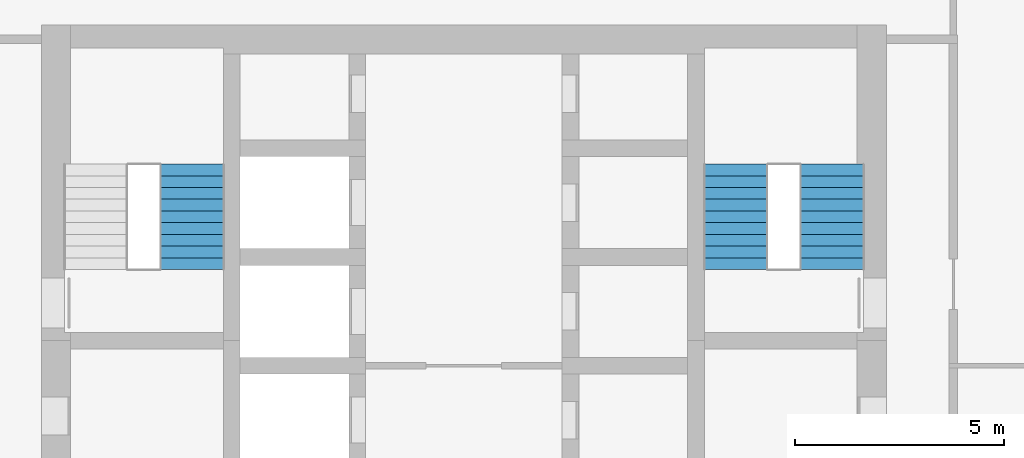
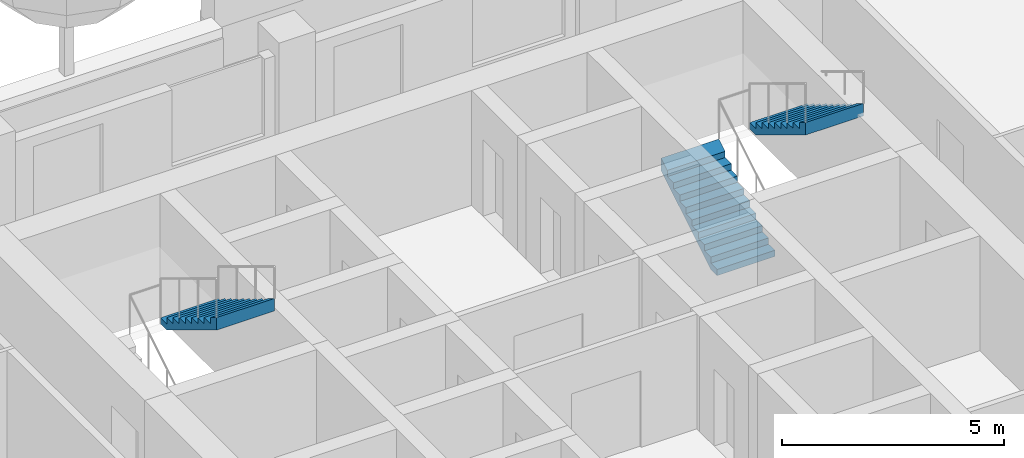
# One storey, part 16 of 21: 3 stair flights, 2 elements without a shape of their own.
"""IFC4 building model written with IfcOpenShell, lengths in metres."""

from ifc_helpers import new_model, si_unit, direction, frame, origin, place, context, subcontext, project, spatial, triangles, material, type_object, element, aggregate, save


model = new_model("IFC4")

# Units and contexts
model_context = context("Model", 3, precision=1e-05, world=origin(), true_north=direction((0.0, 1.0)))
body_context = subcontext(model_context, "Body", "Model", "MODEL_VIEW")
ifc_project = project(units=[si_unit("LENGTHUNIT", "METRE"), si_unit("AREAUNIT", "SQUARE_METRE"), si_unit("VOLUMEUNIT", "CUBIC_METRE"), si_unit("PLANEANGLEUNIT", "RADIAN"), si_unit("MASSUNIT", "GRAM", prefix="KILO")], contexts=[model_context])

# Site, building, storey
site_placement = place(None, origin())
site = spatial("IfcSite", under=ifc_project, at=site_placement, CompositionType="ELEMENT")
building_placement = place(site_placement, origin())
building = spatial("IfcBuilding", under=site, at=building_placement, Name="Ludao Terraces", CompositionType="ELEMENT")
storey_placement = place(building_placement, frame((0.0, 0.0, 71.60009765625)))
storey = spatial("IfcBuildingStorey", under=building, at=storey_placement, Name="L19", CompositionType="ELEMENT", Elevation=71.60009765625)

# Stair, stair flight
ifc_material = material(Name="Concrete C40", Category="concrete")
stair_type = type_object("IfcStairType", Name="INT Stair", PredefinedType="HALF_TURN_STAIR", material=ifc_material)
stair_1_placement = place(storey_placement, origin())
stair_1 = element("IfcStair", 1, at=stair_1_placement, inside=storey, type_object=stair_type, Name="EXIT STAIR 1", PredefinedType="HALF_TURN_STAIR")
stair_flight_type = type_object("IfcStairFlightType", Name="INT Stair flight", PredefinedType="STRAIGHT", material=ifc_material)
stair_flight_1_placement = place(storey_placement, frame((78.5, 81.52001953125, 1.699951171875), z_axis=(0.0, 0.0, 1.0), x_axis=(0.0, -1.0, 0.0)))
stair_flight_1 = element("IfcStairFlight", 2, at=stair_flight_1_placement, type_object=stair_flight_type, Name="ST1 flight 2", NumberOfRisers=10, NumberOfTreads=9, PredefinedType="STRAIGHT", RiserHeight=0.17, TreadLength=0.28, context=body_context, shape_type="Tessellation", body=[
    triangles([(0.0, -0.75, 0.0), (0.0, -0.5, 0.0), (0.0, -0.25, 0.0), (0.0, 0.0, 0.0), (0.0, 0.25, 0.0), (0.0, 0.5, 0.0), (0.0, 0.75, 0.0), (0.0, -0.75, 0.169921875), (0.0, -0.5, 0.169921875), (0.0, -0.25, 0.169921875), (0.0, 0.0, 0.169921875), (0.0, 0.25, 0.169921875), (0.0, 0.5, 0.169921875), (0.0, 0.75, 0.169921875), (0.280029296875, -0.75, 0.169921875), (0.280029296875, -0.5, 0.169921875), (0.280029296875, -0.25, 0.169921875), (0.280029296875, 0.0, 0.169921875), (0.280029296875, 0.25, 0.169921875), (0.280029296875, 0.5, 0.169921875), (0.280029296875, 0.75, 0.169921875), (0.280029296875, -0.75, 0.340087890625), (0.280029296875, -0.5, 0.340087890625), (0.280029296875, -0.25, 0.340087890625), (0.280029296875, 0.0, 0.340087890625), (0.280029296875, 0.25, 0.340087890625), (0.280029296875, 0.5, 0.340087890625), (0.280029296875, 0.75, 0.340087890625), (0.56005859375, -0.75, 0.340087890625), (0.56005859375, -0.5, 0.340087890625), (0.56005859375, -0.25, 0.340087890625), (0.56005859375, 0.0, 0.340087890625), (0.56005859375, 0.25, 0.340087890625), (0.56005859375, 0.5, 0.340087890625), (0.56005859375, 0.75, 0.340087890625), (0.56005859375, -0.75, 0.510009765625), (0.56005859375, -0.5, 0.510009765625), (0.56005859375, -0.25, 0.510009765625), (0.56005859375, 0.0, 0.510009765625), (0.56005859375, 0.25, 0.510009765625), (0.56005859375, 0.5, 0.510009765625), (0.56005859375, 0.75, 0.510009765625), (0.840087890625, -0.75, 0.510009765625), (0.840087890625, -0.5, 0.510009765625), (0.840087890625, -0.25, 0.510009765625), (0.840087890625, 0.0, 0.510009765625), (0.840087890625, 0.25, 0.510009765625), (0.840087890625, 0.5, 0.510009765625), (0.840087890625, 0.75, 0.510009765625), (0.840087890625, -0.75, 0.679931640625), (0.840087890625, -0.5, 0.679931640625), (0.840087890625, -0.25, 0.679931640625), (0.840087890625, 0.0, 0.679931640625), (0.840087890625, 0.25, 0.679931640625), (0.840087890625, 0.5, 0.679931640625), (0.840087890625, 0.75, 0.679931640625), (1.1201171875, -0.75, 0.679931640625), (1.1201171875, -0.5, 0.679931640625), (1.1201171875, -0.25, 0.679931640625), (1.1201171875, 0.0, 0.679931640625), (1.1201171875, 0.25, 0.679931640625), (1.1201171875, 0.5, 0.679931640625), (1.1201171875, 0.75, 0.679931640625), (1.1201171875, -0.75, 0.85009765625), (1.1201171875, -0.5, 0.85009765625), (1.1201171875, -0.25, 0.85009765625), (1.1201171875, 0.0, 0.85009765625), (1.1201171875, 0.25, 0.85009765625), (1.1201171875, 0.5, 0.85009765625), (1.1201171875, 0.75, 0.85009765625), (1.39990234375, -0.75, 0.85009765625), (1.39990234375, -0.5, 0.85009765625), (1.39990234375, -0.25, 0.85009765625), (1.39990234375, 0.0, 0.85009765625), (1.39990234375, 0.25, 0.85009765625), (1.39990234375, 0.5, 0.85009765625), (1.39990234375, 0.75, 0.85009765625), (1.39990234375, -0.75, 1.02001953125), (1.39990234375, -0.5, 1.02001953125), (1.39990234375, -0.25, 1.02001953125), (1.39990234375, 0.0, 1.02001953125), (1.39990234375, 0.25, 1.02001953125), (1.39990234375, 0.5, 1.02001953125), (1.39990234375, 0.75, 1.02001953125), (1.679931640625, -0.75, 1.02001953125), (1.679931640625, -0.5, 1.02001953125), (1.679931640625, -0.25, 1.02001953125), (1.679931640625, 0.0, 1.02001953125), (1.679931640625, 0.25, 1.02001953125), (1.679931640625, 0.5, 1.02001953125), (1.679931640625, 0.75, 1.02001953125), (1.679931640625, -0.75, 1.18994140625), (1.679931640625, -0.5, 1.18994140625), (1.679931640625, -0.25, 1.18994140625), (1.679931640625, 0.0, 1.18994140625), (1.679931640625, 0.25, 1.18994140625), (1.679931640625, 0.5, 1.18994140625), (1.679931640625, 0.75, 1.18994140625), (1.9599609375, -0.75, 1.18994140625), (1.9599609375, -0.5, 1.18994140625), (1.9599609375, -0.25, 1.18994140625), (1.9599609375, 0.0, 1.18994140625), (1.9599609375, 0.25, 1.18994140625), (1.9599609375, 0.5, 1.18994140625), (1.9599609375, 0.75, 1.18994140625), (1.9599609375, -0.75, 1.360107421875), (1.9599609375, -0.5, 1.360107421875), (1.9599609375, -0.25, 1.360107421875), (1.9599609375, 0.0, 1.360107421875), (1.9599609375, 0.25, 1.360107421875), (1.9599609375, 0.5, 1.360107421875), (1.9599609375, 0.75, 1.360107421875), (2.239990234375, -0.75, 1.360107421875), (2.239990234375, -0.5, 1.360107421875), (2.239990234375, -0.25, 1.360107421875), (2.239990234375, 0.0, 1.360107421875), (2.239990234375, 0.25, 1.360107421875), (2.239990234375, 0.5, 1.360107421875), (2.239990234375, 0.75, 1.360107421875), (2.239990234375, -0.75, 1.530029296875), (2.239990234375, -0.5, 1.530029296875), (2.239990234375, -0.25, 1.530029296875), (2.239990234375, 0.0, 1.530029296875), (2.239990234375, 0.25, 1.530029296875), (2.239990234375, 0.5, 1.530029296875), (2.239990234375, 0.75, 1.530029296875), (2.52001953125, -0.75, 1.699951171875), (2.52001953125, -0.5, 1.699951171875), (2.52001953125, -0.25, 1.699951171875), (2.52001953125, 0.0, 1.699951171875), (2.52001953125, 0.25, 1.699951171875), (2.52001953125, 0.5, 1.699951171875), (2.52001953125, 0.75, 1.699951171875), (2.52001953125, -0.75, 1.354736328125), (2.52001953125, -0.5, 1.354736328125), (2.52001953125, -0.25, 1.354736328125), (2.52001953125, 0.0, 1.354736328125), (2.52001953125, 0.25, 1.354736328125), (2.52001953125, 0.5, 1.354736328125), (2.52001953125, 0.75, 1.354736328125), (0.288818359375, -0.75, 0.0), (0.288818359375, -0.5, 0.0), (0.288818359375, -0.25, 0.0), (0.288818359375, 0.0, 0.0), (0.288818359375, 0.25, 0.0), (0.288818359375, 0.5, 0.0), (0.288818359375, 0.75, 0.0)], [[1, 141, 134], [7, 140, 147], [134, 127, 120], [140, 126, 133], [134, 120, 113], [140, 119, 126], [134, 113, 106], [140, 112, 119], [134, 106, 99], [140, 105, 112], [99, 92, 85], [105, 91, 98], [134, 99, 85], [140, 91, 105], [85, 78, 71], [91, 77, 84], [134, 85, 71], [140, 77, 91], [71, 64, 57], [77, 63, 70], [134, 71, 57], [140, 63, 77], [57, 50, 43], [63, 49, 56], [134, 57, 43], [140, 49, 63], [43, 36, 29], [49, 35, 42], [134, 43, 29], [140, 35, 49], [29, 22, 15], [35, 21, 28], [134, 29, 15], [140, 21, 35], [1, 134, 15], [7, 21, 140], [15, 8, 1], [21, 7, 14], [1, 9, 2], [1, 8, 9], [2, 10, 3], [2, 9, 10], [3, 11, 4], [3, 10, 11], [4, 12, 5], [4, 11, 12], [5, 13, 6], [5, 12, 13], [6, 14, 7], [6, 13, 14], [8, 16, 9], [8, 15, 16], [9, 17, 10], [9, 16, 17], [10, 18, 11], [10, 17, 18], [11, 19, 12], [11, 18, 19], [12, 20, 13], [12, 19, 20], [13, 21, 14], [13, 20, 21], [15, 23, 16], [15, 22, 23], [16, 24, 17], [16, 23, 24], [17, 25, 18], [17, 24, 25], [18, 26, 19], [18, 25, 26], [19, 27, 20], [19, 26, 27], [20, 28, 21], [20, 27, 28], [22, 30, 23], [22, 29, 30], [23, 31, 24], [23, 30, 31], [24, 32, 25], [24, 31, 32], [25, 33, 26], [25, 32, 33], [26, 34, 27], [26, 33, 34], [27, 35, 28], [27, 34, 35], [29, 37, 30], [29, 36, 37], [30, 38, 31], [30, 37, 38], [31, 39, 32], [31, 38, 39], [32, 40, 33], [32, 39, 40], [33, 41, 34], [33, 40, 41], [34, 42, 35], [34, 41, 42], [36, 44, 37], [36, 43, 44], [37, 45, 38], [37, 44, 45], [38, 46, 39], [38, 45, 46], [39, 47, 40], [39, 46, 47], [40, 48, 41], [40, 47, 48], [41, 49, 42], [41, 48, 49], [43, 51, 44], [43, 50, 51], [44, 52, 45], [44, 51, 52], [45, 53, 46], [45, 52, 53], [46, 54, 47], [46, 53, 54], [47, 55, 48], [47, 54, 55], [48, 56, 49], [48, 55, 56], [50, 58, 51], [50, 57, 58], [51, 59, 52], [51, 58, 59], [52, 60, 53], [52, 59, 60], [53, 61, 54], [53, 60, 61], [54, 62, 55], [54, 61, 62], [55, 63, 56], [55, 62, 63], [57, 65, 58], [57, 64, 65], [58, 66, 59], [58, 65, 66], [59, 67, 60], [59, 66, 67], [60, 68, 61], [60, 67, 68], [61, 69, 62], [61, 68, 69], [62, 70, 63], [62, 69, 70], [64, 72, 65], [64, 71, 72], [65, 73, 66], [65, 72, 73], [66, 74, 67], [66, 73, 74], [67, 75, 68], [67, 74, 75], [68, 76, 69], [68, 75, 76], [69, 77, 70], [69, 76, 77], [71, 79, 72], [71, 78, 79], [72, 80, 73], [72, 79, 80], [73, 81, 74], [73, 80, 81], [74, 82, 75], [74, 81, 82], [75, 83, 76], [75, 82, 83], [76, 84, 77], [76, 83, 84], [78, 86, 79], [78, 85, 86], [79, 87, 80], [79, 86, 87], [80, 88, 81], [80, 87, 88], [81, 89, 82], [81, 88, 89], [82, 90, 83], [82, 89, 90], [83, 91, 84], [83, 90, 91], [85, 93, 86], [85, 92, 93], [86, 94, 87], [86, 93, 94], [87, 95, 88], [87, 94, 95], [88, 96, 89], [88, 95, 96], [89, 97, 90], [89, 96, 97], [90, 98, 91], [90, 97, 98], [92, 100, 93], [92, 99, 100], [93, 101, 94], [93, 100, 101], [94, 102, 95], [94, 101, 102], [95, 103, 96], [95, 102, 103], [96, 104, 97], [96, 103, 104], [97, 105, 98], [97, 104, 105], [99, 107, 100], [99, 106, 107], [100, 108, 101], [100, 107, 108], [101, 109, 102], [101, 108, 109], [102, 110, 103], [102, 109, 110], [103, 111, 104], [103, 110, 111], [104, 112, 105], [104, 111, 112], [106, 114, 107], [106, 113, 114], [107, 115, 108], [107, 114, 115], [108, 116, 109], [108, 115, 116], [109, 117, 110], [109, 116, 117], [110, 118, 111], [110, 117, 118], [111, 119, 112], [111, 118, 119], [113, 121, 114], [113, 120, 121], [114, 122, 115], [114, 121, 122], [115, 123, 116], [115, 122, 123], [116, 124, 117], [116, 123, 124], [117, 125, 118], [117, 124, 125], [118, 126, 119], [118, 125, 126], [120, 128, 121], [120, 127, 128], [121, 129, 122], [121, 128, 129], [122, 130, 123], [122, 129, 130], [123, 131, 124], [123, 130, 131], [124, 132, 125], [124, 131, 132], [125, 133, 126], [125, 132, 133], [127, 135, 128], [127, 134, 135], [128, 136, 129], [128, 135, 136], [129, 137, 130], [129, 136, 137], [130, 138, 131], [130, 137, 138], [131, 139, 132], [131, 138, 139], [132, 140, 133], [132, 139, 140], [134, 142, 135], [134, 141, 142], [135, 143, 136], [135, 142, 143], [136, 144, 137], [136, 143, 144], [137, 145, 138], [137, 144, 145], [138, 146, 139], [138, 145, 146], [139, 147, 140], [139, 146, 147], [141, 2, 142], [141, 1, 2], [142, 3, 143], [142, 2, 3], [143, 4, 144], [143, 3, 4], [144, 5, 145], [144, 4, 5], [145, 6, 146], [145, 5, 6], [146, 7, 147], [146, 6, 7]], closed=True),
])
aggregate(stair_1, [stair_flight_1])

# Stair, stair flights
stair_2_placement = place(storey_placement, origin())
stair_2 = element("IfcStair", 3, at=stair_2_placement, inside=storey, type_object=stair_type, Name="EXIT STAIR 2", PredefinedType="HALF_TURN_STAIR")
stair_flight_2_placement = place(storey_placement, frame((91.5, 79.0, 0.0), z_axis=(0.0, 0.0, 1.0), x_axis=(0.0, 1.0, 0.0)))
stair_flight_2 = element("IfcStairFlight", 4, at=stair_flight_2_placement, type_object=stair_flight_type, Name="ST2 flight 1", NumberOfRisers=10, NumberOfTreads=9, PredefinedType="STRAIGHT", RiserHeight=0.17, TreadLength=0.28, context=body_context, shape_type="Tessellation", body=[
    triangles([(0.0, -0.75, 0.0), (0.0, -0.5, 0.0), (0.0, -0.25, 0.0), (0.0, 0.0, 0.0), (0.0, 0.25, 0.0), (0.0, 0.5, 0.0), (0.0, 0.75, 0.0), (0.0, -0.75, 0.169921875), (0.0, -0.5, 0.169921875), (0.0, -0.25, 0.169921875), (0.0, 0.0, 0.169921875), (0.0, 0.25, 0.169921875), (0.0, 0.5, 0.169921875), (0.0, 0.75, 0.169921875), (0.280029296875, -0.75, 0.169921875), (0.280029296875, -0.5, 0.169921875), (0.280029296875, -0.25, 0.169921875), (0.280029296875, 0.0, 0.169921875), (0.280029296875, 0.25, 0.169921875), (0.280029296875, 0.5, 0.169921875), (0.280029296875, 0.75, 0.169921875), (0.280029296875, -0.75, 0.340087890625), (0.280029296875, -0.5, 0.340087890625), (0.280029296875, -0.25, 0.340087890625), (0.280029296875, 0.0, 0.340087890625), (0.280029296875, 0.25, 0.340087890625), (0.280029296875, 0.5, 0.340087890625), (0.280029296875, 0.75, 0.340087890625), (0.56005859375, -0.75, 0.340087890625), (0.56005859375, -0.5, 0.340087890625), (0.56005859375, -0.25, 0.340087890625), (0.56005859375, 0.0, 0.340087890625), (0.56005859375, 0.25, 0.340087890625), (0.56005859375, 0.5, 0.340087890625), (0.56005859375, 0.75, 0.340087890625), (0.56005859375, -0.75, 0.510009765625), (0.56005859375, -0.5, 0.510009765625), (0.56005859375, -0.25, 0.510009765625), (0.56005859375, 0.0, 0.510009765625), (0.56005859375, 0.25, 0.510009765625), (0.56005859375, 0.5, 0.510009765625), (0.56005859375, 0.75, 0.510009765625), (0.840087890625, -0.75, 0.510009765625), (0.840087890625, -0.5, 0.510009765625), (0.840087890625, -0.25, 0.510009765625), (0.840087890625, 0.0, 0.510009765625), (0.840087890625, 0.25, 0.510009765625), (0.840087890625, 0.5, 0.510009765625), (0.840087890625, 0.75, 0.510009765625), (0.840087890625, -0.75, 0.679931640625), (0.840087890625, -0.5, 0.679931640625), (0.840087890625, -0.25, 0.679931640625), (0.840087890625, 0.0, 0.679931640625), (0.840087890625, 0.25, 0.679931640625), (0.840087890625, 0.5, 0.679931640625), (0.840087890625, 0.75, 0.679931640625), (1.1201171875, -0.75, 0.679931640625), (1.1201171875, -0.5, 0.679931640625), (1.1201171875, -0.25, 0.679931640625), (1.1201171875, 0.0, 0.679931640625), (1.1201171875, 0.25, 0.679931640625), (1.1201171875, 0.5, 0.679931640625), (1.1201171875, 0.75, 0.679931640625), (1.1201171875, -0.75, 0.85009765625), (1.1201171875, -0.5, 0.85009765625), (1.1201171875, -0.25, 0.85009765625), (1.1201171875, 0.0, 0.85009765625), (1.1201171875, 0.25, 0.85009765625), (1.1201171875, 0.5, 0.85009765625), (1.1201171875, 0.75, 0.85009765625), (1.39990234375, -0.75, 0.85009765625), (1.39990234375, -0.5, 0.85009765625), (1.39990234375, -0.25, 0.85009765625), (1.39990234375, 0.0, 0.85009765625), (1.39990234375, 0.25, 0.85009765625), (1.39990234375, 0.5, 0.85009765625), (1.39990234375, 0.75, 0.85009765625), (1.39990234375, -0.75, 1.02001953125), (1.39990234375, -0.5, 1.02001953125), (1.39990234375, -0.25, 1.02001953125), (1.39990234375, 0.0, 1.02001953125), (1.39990234375, 0.25, 1.02001953125), (1.39990234375, 0.5, 1.02001953125), (1.39990234375, 0.75, 1.02001953125), (1.679931640625, -0.75, 1.02001953125), (1.679931640625, -0.5, 1.02001953125), (1.679931640625, -0.25, 1.02001953125), (1.679931640625, 0.0, 1.02001953125), (1.679931640625, 0.25, 1.02001953125), (1.679931640625, 0.5, 1.02001953125), (1.679931640625, 0.75, 1.02001953125), (1.679931640625, -0.75, 1.18994140625), (1.679931640625, -0.5, 1.18994140625), (1.679931640625, -0.25, 1.18994140625), (1.679931640625, 0.0, 1.18994140625), (1.679931640625, 0.25, 1.18994140625), (1.679931640625, 0.5, 1.18994140625), (1.679931640625, 0.75, 1.18994140625), (1.9599609375, -0.75, 1.18994140625), (1.9599609375, -0.5, 1.18994140625), (1.9599609375, -0.25, 1.18994140625), (1.9599609375, 0.0, 1.18994140625), (1.9599609375, 0.25, 1.18994140625), (1.9599609375, 0.5, 1.18994140625), (1.9599609375, 0.75, 1.18994140625), (1.9599609375, -0.75, 1.360107421875), (1.9599609375, -0.5, 1.360107421875), (1.9599609375, -0.25, 1.360107421875), (1.9599609375, 0.0, 1.360107421875), (1.9599609375, 0.25, 1.360107421875), (1.9599609375, 0.5, 1.360107421875), (1.9599609375, 0.75, 1.360107421875), (2.239990234375, -0.75, 1.360107421875), (2.239990234375, -0.5, 1.360107421875), (2.239990234375, -0.25, 1.360107421875), (2.239990234375, 0.0, 1.360107421875), (2.239990234375, 0.25, 1.360107421875), (2.239990234375, 0.5, 1.360107421875), (2.239990234375, 0.75, 1.360107421875), (2.239990234375, -0.75, 1.530029296875), (2.239990234375, -0.5, 1.530029296875), (2.239990234375, -0.25, 1.530029296875), (2.239990234375, 0.0, 1.530029296875), (2.239990234375, 0.25, 1.530029296875), (2.239990234375, 0.5, 1.530029296875), (2.239990234375, 0.75, 1.530029296875), (2.52001953125, -0.75, 1.699951171875), (2.52001953125, -0.5, 1.699951171875), (2.52001953125, -0.25, 1.699951171875), (2.52001953125, 0.0, 1.699951171875), (2.52001953125, 0.25, 1.699951171875), (2.52001953125, 0.5, 1.699951171875), (2.52001953125, 0.75, 1.699951171875), (2.52001953125, -0.75, 1.354736328125), (2.52001953125, -0.5, 1.354736328125), (2.52001953125, -0.25, 1.354736328125), (2.52001953125, 0.0, 1.354736328125), (2.52001953125, 0.25, 1.354736328125), (2.52001953125, 0.5, 1.354736328125), (2.52001953125, 0.75, 1.354736328125), (0.288818359375, -0.75, 0.0), (0.288818359375, -0.5, 0.0), (0.288818359375, -0.25, 0.0), (0.288818359375, 0.0, 0.0), (0.288818359375, 0.25, 0.0), (0.288818359375, 0.5, 0.0), (0.288818359375, 0.75, 0.0)], [[1, 141, 134], [7, 140, 147], [134, 127, 120], [140, 126, 133], [134, 120, 113], [140, 119, 126], [134, 113, 106], [140, 112, 119], [134, 106, 99], [140, 105, 112], [99, 92, 85], [105, 91, 98], [134, 99, 85], [140, 91, 105], [85, 78, 71], [91, 77, 84], [134, 85, 71], [140, 77, 91], [71, 64, 57], [77, 63, 70], [134, 71, 57], [140, 63, 77], [57, 50, 43], [63, 49, 56], [134, 57, 43], [140, 49, 63], [43, 36, 29], [49, 35, 42], [134, 43, 29], [140, 35, 49], [29, 22, 15], [35, 21, 28], [134, 29, 15], [140, 21, 35], [1, 134, 15], [7, 21, 140], [15, 8, 1], [21, 7, 14], [1, 9, 2], [1, 8, 9], [2, 10, 3], [2, 9, 10], [3, 11, 4], [3, 10, 11], [4, 12, 5], [4, 11, 12], [5, 13, 6], [5, 12, 13], [6, 14, 7], [6, 13, 14], [8, 16, 9], [8, 15, 16], [9, 17, 10], [9, 16, 17], [10, 18, 11], [10, 17, 18], [11, 19, 12], [11, 18, 19], [12, 20, 13], [12, 19, 20], [13, 21, 14], [13, 20, 21], [15, 23, 16], [15, 22, 23], [16, 24, 17], [16, 23, 24], [17, 25, 18], [17, 24, 25], [18, 26, 19], [18, 25, 26], [19, 27, 20], [19, 26, 27], [20, 28, 21], [20, 27, 28], [22, 30, 23], [22, 29, 30], [23, 31, 24], [23, 30, 31], [24, 32, 25], [24, 31, 32], [25, 33, 26], [25, 32, 33], [26, 34, 27], [26, 33, 34], [27, 35, 28], [27, 34, 35], [29, 37, 30], [29, 36, 37], [30, 38, 31], [30, 37, 38], [31, 39, 32], [31, 38, 39], [32, 40, 33], [32, 39, 40], [33, 41, 34], [33, 40, 41], [34, 42, 35], [34, 41, 42], [36, 44, 37], [36, 43, 44], [37, 45, 38], [37, 44, 45], [38, 46, 39], [38, 45, 46], [39, 47, 40], [39, 46, 47], [40, 48, 41], [40, 47, 48], [41, 49, 42], [41, 48, 49], [43, 51, 44], [43, 50, 51], [44, 52, 45], [44, 51, 52], [45, 53, 46], [45, 52, 53], [46, 54, 47], [46, 53, 54], [47, 55, 48], [47, 54, 55], [48, 56, 49], [48, 55, 56], [50, 58, 51], [50, 57, 58], [51, 59, 52], [51, 58, 59], [52, 60, 53], [52, 59, 60], [53, 61, 54], [53, 60, 61], [54, 62, 55], [54, 61, 62], [55, 63, 56], [55, 62, 63], [57, 65, 58], [57, 64, 65], [58, 66, 59], [58, 65, 66], [59, 67, 60], [59, 66, 67], [60, 68, 61], [60, 67, 68], [61, 69, 62], [61, 68, 69], [62, 70, 63], [62, 69, 70], [64, 72, 65], [64, 71, 72], [65, 73, 66], [65, 72, 73], [66, 74, 67], [66, 73, 74], [67, 75, 68], [67, 74, 75], [68, 76, 69], [68, 75, 76], [69, 77, 70], [69, 76, 77], [71, 79, 72], [71, 78, 79], [72, 80, 73], [72, 79, 80], [73, 81, 74], [73, 80, 81], [74, 82, 75], [74, 81, 82], [75, 83, 76], [75, 82, 83], [76, 84, 77], [76, 83, 84], [78, 86, 79], [78, 85, 86], [79, 87, 80], [79, 86, 87], [80, 88, 81], [80, 87, 88], [81, 89, 82], [81, 88, 89], [82, 90, 83], [82, 89, 90], [83, 91, 84], [83, 90, 91], [85, 93, 86], [85, 92, 93], [86, 94, 87], [86, 93, 94], [87, 95, 88], [87, 94, 95], [88, 96, 89], [88, 95, 96], [89, 97, 90], [89, 96, 97], [90, 98, 91], [90, 97, 98], [92, 100, 93], [92, 99, 100], [93, 101, 94], [93, 100, 101], [94, 102, 95], [94, 101, 102], [95, 103, 96], [95, 102, 103], [96, 104, 97], [96, 103, 104], [97, 105, 98], [97, 104, 105], [99, 107, 100], [99, 106, 107], [100, 108, 101], [100, 107, 108], [101, 109, 102], [101, 108, 109], [102, 110, 103], [102, 109, 110], [103, 111, 104], [103, 110, 111], [104, 112, 105], [104, 111, 112], [106, 114, 107], [106, 113, 114], [107, 115, 108], [107, 114, 115], [108, 116, 109], [108, 115, 116], [109, 117, 110], [109, 116, 117], [110, 118, 111], [110, 117, 118], [111, 119, 112], [111, 118, 119], [113, 121, 114], [113, 120, 121], [114, 122, 115], [114, 121, 122], [115, 123, 116], [115, 122, 123], [116, 124, 117], [116, 123, 124], [117, 125, 118], [117, 124, 125], [118, 126, 119], [118, 125, 126], [120, 128, 121], [120, 127, 128], [121, 129, 122], [121, 128, 129], [122, 130, 123], [122, 129, 130], [123, 131, 124], [123, 130, 131], [124, 132, 125], [124, 131, 132], [125, 133, 126], [125, 132, 133], [127, 135, 128], [127, 134, 135], [128, 136, 129], [128, 135, 136], [129, 137, 130], [129, 136, 137], [130, 138, 131], [130, 137, 138], [131, 139, 132], [131, 138, 139], [132, 140, 133], [132, 139, 140], [134, 142, 135], [134, 141, 142], [135, 143, 136], [135, 142, 143], [136, 144, 137], [136, 143, 144], [137, 145, 138], [137, 144, 145], [138, 146, 139], [138, 145, 146], [139, 147, 140], [139, 146, 147], [141, 2, 142], [141, 1, 2], [142, 3, 143], [142, 2, 3], [143, 4, 144], [143, 3, 4], [144, 5, 145], [144, 4, 5], [145, 6, 146], [145, 5, 6], [146, 7, 147], [146, 6, 7]], closed=True),
])
stair_flight_3_placement = place(storey_placement, frame((93.800048828125, 81.52001953125, 1.699951171875), z_axis=(0.0, 0.0, 1.0), x_axis=(0.0, -1.0, 0.0)))
stair_flight_3 = element("IfcStairFlight", 5, at=stair_flight_3_placement, type_object=stair_flight_type, Name="ST2 flight 2", NumberOfRisers=10, NumberOfTreads=9, PredefinedType="STRAIGHT", RiserHeight=0.17, TreadLength=0.28, context=body_context, shape_type="Tessellation", body=[
    triangles([(0.0, -0.75, 0.0), (0.0, -0.5, 0.0), (0.0, -0.25, 0.0), (0.0, 0.0, 0.0), (0.0, 0.25, 0.0), (0.0, 0.5, 0.0), (0.0, 0.75, 0.0), (0.0, -0.75, 0.169921875), (0.0, -0.5, 0.169921875), (0.0, -0.25, 0.169921875), (0.0, 0.0, 0.169921875), (0.0, 0.25, 0.169921875), (0.0, 0.5, 0.169921875), (0.0, 0.75, 0.169921875), (0.280029296875, -0.75, 0.169921875), (0.280029296875, -0.5, 0.169921875), (0.280029296875, -0.25, 0.169921875), (0.280029296875, 0.0, 0.169921875), (0.280029296875, 0.25, 0.169921875), (0.280029296875, 0.5, 0.169921875), (0.280029296875, 0.75, 0.169921875), (0.280029296875, -0.75, 0.340087890625), (0.280029296875, -0.5, 0.340087890625), (0.280029296875, -0.25, 0.340087890625), (0.280029296875, 0.0, 0.340087890625), (0.280029296875, 0.25, 0.340087890625), (0.280029296875, 0.5, 0.340087890625), (0.280029296875, 0.75, 0.340087890625), (0.56005859375, -0.75, 0.340087890625), (0.56005859375, -0.5, 0.340087890625), (0.56005859375, -0.25, 0.340087890625), (0.56005859375, 0.0, 0.340087890625), (0.56005859375, 0.25, 0.340087890625), (0.56005859375, 0.5, 0.340087890625), (0.56005859375, 0.75, 0.340087890625), (0.56005859375, -0.75, 0.510009765625), (0.56005859375, -0.5, 0.510009765625), (0.56005859375, -0.25, 0.510009765625), (0.56005859375, 0.0, 0.510009765625), (0.56005859375, 0.25, 0.510009765625), (0.56005859375, 0.5, 0.510009765625), (0.56005859375, 0.75, 0.510009765625), (0.840087890625, -0.75, 0.510009765625), (0.840087890625, -0.5, 0.510009765625), (0.840087890625, -0.25, 0.510009765625), (0.840087890625, 0.0, 0.510009765625), (0.840087890625, 0.25, 0.510009765625), (0.840087890625, 0.5, 0.510009765625), (0.840087890625, 0.75, 0.510009765625), (0.840087890625, -0.75, 0.679931640625), (0.840087890625, -0.5, 0.679931640625), (0.840087890625, -0.25, 0.679931640625), (0.840087890625, 0.0, 0.679931640625), (0.840087890625, 0.25, 0.679931640625), (0.840087890625, 0.5, 0.679931640625), (0.840087890625, 0.75, 0.679931640625), (1.1201171875, -0.75, 0.679931640625), (1.1201171875, -0.5, 0.679931640625), (1.1201171875, -0.25, 0.679931640625), (1.1201171875, 0.0, 0.679931640625), (1.1201171875, 0.25, 0.679931640625), (1.1201171875, 0.5, 0.679931640625), (1.1201171875, 0.75, 0.679931640625), (1.1201171875, -0.75, 0.85009765625), (1.1201171875, -0.5, 0.85009765625), (1.1201171875, -0.25, 0.85009765625), (1.1201171875, 0.0, 0.85009765625), (1.1201171875, 0.25, 0.85009765625), (1.1201171875, 0.5, 0.85009765625), (1.1201171875, 0.75, 0.85009765625), (1.39990234375, -0.75, 0.85009765625), (1.39990234375, -0.5, 0.85009765625), (1.39990234375, -0.25, 0.85009765625), (1.39990234375, 0.0, 0.85009765625), (1.39990234375, 0.25, 0.85009765625), (1.39990234375, 0.5, 0.85009765625), (1.39990234375, 0.75, 0.85009765625), (1.39990234375, -0.75, 1.02001953125), (1.39990234375, -0.5, 1.02001953125), (1.39990234375, -0.25, 1.02001953125), (1.39990234375, 0.0, 1.02001953125), (1.39990234375, 0.25, 1.02001953125), (1.39990234375, 0.5, 1.02001953125), (1.39990234375, 0.75, 1.02001953125), (1.679931640625, -0.75, 1.02001953125), (1.679931640625, -0.5, 1.02001953125), (1.679931640625, -0.25, 1.02001953125), (1.679931640625, 0.0, 1.02001953125), (1.679931640625, 0.25, 1.02001953125), (1.679931640625, 0.5, 1.02001953125), (1.679931640625, 0.75, 1.02001953125), (1.679931640625, -0.75, 1.18994140625), (1.679931640625, -0.5, 1.18994140625), (1.679931640625, -0.25, 1.18994140625), (1.679931640625, 0.0, 1.18994140625), (1.679931640625, 0.25, 1.18994140625), (1.679931640625, 0.5, 1.18994140625), (1.679931640625, 0.75, 1.18994140625), (1.9599609375, -0.75, 1.18994140625), (1.9599609375, -0.5, 1.18994140625), (1.9599609375, -0.25, 1.18994140625), (1.9599609375, 0.0, 1.18994140625), (1.9599609375, 0.25, 1.18994140625), (1.9599609375, 0.5, 1.18994140625), (1.9599609375, 0.75, 1.18994140625), (1.9599609375, -0.75, 1.360107421875), (1.9599609375, -0.5, 1.360107421875), (1.9599609375, -0.25, 1.360107421875), (1.9599609375, 0.0, 1.360107421875), (1.9599609375, 0.25, 1.360107421875), (1.9599609375, 0.5, 1.360107421875), (1.9599609375, 0.75, 1.360107421875), (2.239990234375, -0.75, 1.360107421875), (2.239990234375, -0.5, 1.360107421875), (2.239990234375, -0.25, 1.360107421875), (2.239990234375, 0.0, 1.360107421875), (2.239990234375, 0.25, 1.360107421875), (2.239990234375, 0.5, 1.360107421875), (2.239990234375, 0.75, 1.360107421875), (2.239990234375, -0.75, 1.530029296875), (2.239990234375, -0.5, 1.530029296875), (2.239990234375, -0.25, 1.530029296875), (2.239990234375, 0.0, 1.530029296875), (2.239990234375, 0.25, 1.530029296875), (2.239990234375, 0.5, 1.530029296875), (2.239990234375, 0.75, 1.530029296875), (2.52001953125, -0.75, 1.699951171875), (2.52001953125, -0.5, 1.699951171875), (2.52001953125, -0.25, 1.699951171875), (2.52001953125, 0.0, 1.699951171875), (2.52001953125, 0.25, 1.699951171875), (2.52001953125, 0.5, 1.699951171875), (2.52001953125, 0.75, 1.699951171875), (2.52001953125, -0.75, 1.354736328125), (2.52001953125, -0.5, 1.354736328125), (2.52001953125, -0.25, 1.354736328125), (2.52001953125, 0.0, 1.354736328125), (2.52001953125, 0.25, 1.354736328125), (2.52001953125, 0.5, 1.354736328125), (2.52001953125, 0.75, 1.354736328125), (0.288818359375, -0.75, 0.0), (0.288818359375, -0.5, 0.0), (0.288818359375, -0.25, 0.0), (0.288818359375, 0.0, 0.0), (0.288818359375, 0.25, 0.0), (0.288818359375, 0.5, 0.0), (0.288818359375, 0.75, 0.0)], [[1, 141, 134], [7, 140, 147], [134, 127, 120], [140, 126, 133], [134, 120, 113], [140, 119, 126], [134, 113, 106], [140, 112, 119], [134, 106, 99], [140, 105, 112], [99, 92, 85], [105, 91, 98], [134, 99, 85], [140, 91, 105], [85, 78, 71], [91, 77, 84], [134, 85, 71], [140, 77, 91], [71, 64, 57], [77, 63, 70], [134, 71, 57], [140, 63, 77], [57, 50, 43], [63, 49, 56], [134, 57, 43], [140, 49, 63], [43, 36, 29], [49, 35, 42], [134, 43, 29], [140, 35, 49], [29, 22, 15], [35, 21, 28], [134, 29, 15], [140, 21, 35], [1, 134, 15], [7, 21, 140], [15, 8, 1], [21, 7, 14], [1, 9, 2], [1, 8, 9], [2, 10, 3], [2, 9, 10], [3, 11, 4], [3, 10, 11], [4, 12, 5], [4, 11, 12], [5, 13, 6], [5, 12, 13], [6, 14, 7], [6, 13, 14], [8, 16, 9], [8, 15, 16], [9, 17, 10], [9, 16, 17], [10, 18, 11], [10, 17, 18], [11, 19, 12], [11, 18, 19], [12, 20, 13], [12, 19, 20], [13, 21, 14], [13, 20, 21], [15, 23, 16], [15, 22, 23], [16, 24, 17], [16, 23, 24], [17, 25, 18], [17, 24, 25], [18, 26, 19], [18, 25, 26], [19, 27, 20], [19, 26, 27], [20, 28, 21], [20, 27, 28], [22, 30, 23], [22, 29, 30], [23, 31, 24], [23, 30, 31], [24, 32, 25], [24, 31, 32], [25, 33, 26], [25, 32, 33], [26, 34, 27], [26, 33, 34], [27, 35, 28], [27, 34, 35], [29, 37, 30], [29, 36, 37], [30, 38, 31], [30, 37, 38], [31, 39, 32], [31, 38, 39], [32, 40, 33], [32, 39, 40], [33, 41, 34], [33, 40, 41], [34, 42, 35], [34, 41, 42], [36, 44, 37], [36, 43, 44], [37, 45, 38], [37, 44, 45], [38, 46, 39], [38, 45, 46], [39, 47, 40], [39, 46, 47], [40, 48, 41], [40, 47, 48], [41, 49, 42], [41, 48, 49], [43, 51, 44], [43, 50, 51], [44, 52, 45], [44, 51, 52], [45, 53, 46], [45, 52, 53], [46, 54, 47], [46, 53, 54], [47, 55, 48], [47, 54, 55], [48, 56, 49], [48, 55, 56], [50, 58, 51], [50, 57, 58], [51, 59, 52], [51, 58, 59], [52, 60, 53], [52, 59, 60], [53, 61, 54], [53, 60, 61], [54, 62, 55], [54, 61, 62], [55, 63, 56], [55, 62, 63], [57, 65, 58], [57, 64, 65], [58, 66, 59], [58, 65, 66], [59, 67, 60], [59, 66, 67], [60, 68, 61], [60, 67, 68], [61, 69, 62], [61, 68, 69], [62, 70, 63], [62, 69, 70], [64, 72, 65], [64, 71, 72], [65, 73, 66], [65, 72, 73], [66, 74, 67], [66, 73, 74], [67, 75, 68], [67, 74, 75], [68, 76, 69], [68, 75, 76], [69, 77, 70], [69, 76, 77], [71, 79, 72], [71, 78, 79], [72, 80, 73], [72, 79, 80], [73, 81, 74], [73, 80, 81], [74, 82, 75], [74, 81, 82], [75, 83, 76], [75, 82, 83], [76, 84, 77], [76, 83, 84], [78, 86, 79], [78, 85, 86], [79, 87, 80], [79, 86, 87], [80, 88, 81], [80, 87, 88], [81, 89, 82], [81, 88, 89], [82, 90, 83], [82, 89, 90], [83, 91, 84], [83, 90, 91], [85, 93, 86], [85, 92, 93], [86, 94, 87], [86, 93, 94], [87, 95, 88], [87, 94, 95], [88, 96, 89], [88, 95, 96], [89, 97, 90], [89, 96, 97], [90, 98, 91], [90, 97, 98], [92, 100, 93], [92, 99, 100], [93, 101, 94], [93, 100, 101], [94, 102, 95], [94, 101, 102], [95, 103, 96], [95, 102, 103], [96, 104, 97], [96, 103, 104], [97, 105, 98], [97, 104, 105], [99, 107, 100], [99, 106, 107], [100, 108, 101], [100, 107, 108], [101, 109, 102], [101, 108, 109], [102, 110, 103], [102, 109, 110], [103, 111, 104], [103, 110, 111], [104, 112, 105], [104, 111, 112], [106, 114, 107], [106, 113, 114], [107, 115, 108], [107, 114, 115], [108, 116, 109], [108, 115, 116], [109, 117, 110], [109, 116, 117], [110, 118, 111], [110, 117, 118], [111, 119, 112], [111, 118, 119], [113, 121, 114], [113, 120, 121], [114, 122, 115], [114, 121, 122], [115, 123, 116], [115, 122, 123], [116, 124, 117], [116, 123, 124], [117, 125, 118], [117, 124, 125], [118, 126, 119], [118, 125, 126], [120, 128, 121], [120, 127, 128], [121, 129, 122], [121, 128, 129], [122, 130, 123], [122, 129, 130], [123, 131, 124], [123, 130, 131], [124, 132, 125], [124, 131, 132], [125, 133, 126], [125, 132, 133], [127, 135, 128], [127, 134, 135], [128, 136, 129], [128, 135, 136], [129, 137, 130], [129, 136, 137], [130, 138, 131], [130, 137, 138], [131, 139, 132], [131, 138, 139], [132, 140, 133], [132, 139, 140], [134, 142, 135], [134, 141, 142], [135, 143, 136], [135, 142, 143], [136, 144, 137], [136, 143, 144], [137, 145, 138], [137, 144, 145], [138, 146, 139], [138, 145, 146], [139, 147, 140], [139, 146, 147], [141, 2, 142], [141, 1, 2], [142, 3, 143], [142, 2, 3], [143, 4, 144], [143, 3, 4], [144, 5, 145], [144, 4, 5], [145, 6, 146], [145, 5, 6], [146, 7, 147], [146, 6, 7]], closed=True),
])
aggregate(stair_2, [stair_flight_2, stair_flight_3])

save(model, "model.ifc")
